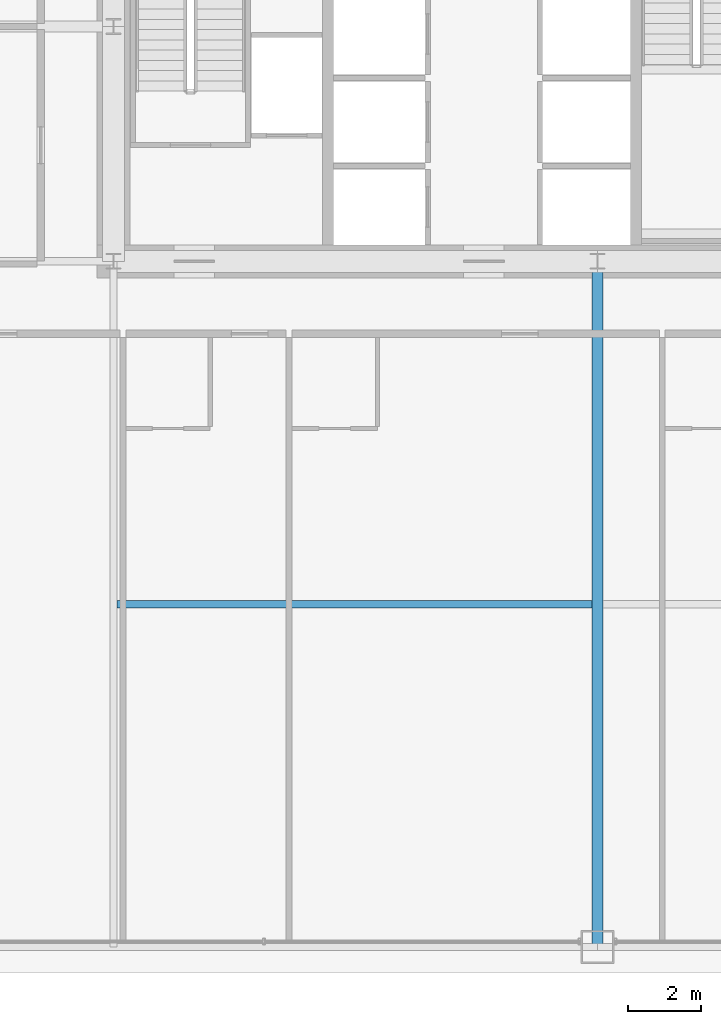
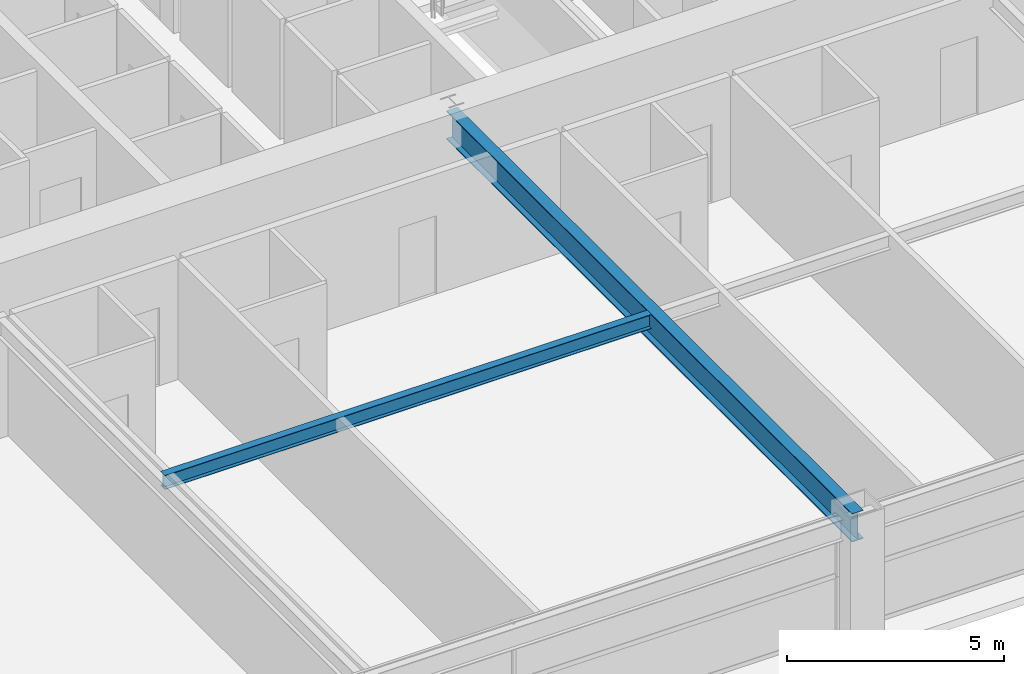
# One storey, part 8 of 43: 2 beams.
"""IFC4 building model written with IfcOpenShell, lengths in metres."""

import ifcopenshell
import ifcopenshell.guid

model = None  # the IFC model being written
_history = None  # IfcOwnerHistory: only IFC2X3 demands one
_inside = {}  # id of a spatial element -> (the spatial element, [elements in it])
_under = {}  # id of a project, library or spatial element -> (it, [spatial elements below it])
_declared = {}  # id of a project -> (the project, [libraries it declares])
_typed = {}  # id of a type object -> (the type object, [elements of that type])
_made_of = {}  # id of a material, layer set ... -> (it, [elements and type objects made of it])


def new_model(schema):
    """Start an empty IFC model of exactly this schema.

    Asked for "IFC4X3", IfcOpenShell would pick the latest addendum, in which some entities
    have other attributes; the version numbers below select the first issue.
    IFC2X3 requires an IfcOwnerHistory on every rooted entity: one is made here for all.
    """
    global model, _history
    if schema == "IFC4X3":
        model = ifcopenshell.file(schema_version=(4, 3, 0, 0))
    else:
        model = ifcopenshell.file(schema=schema)
    _inside.clear()
    _under.clear()
    _declared.clear()
    _typed.clear()
    _made_of.clear()
    _history = None
    if model.schema == "IFC2X3":
        org = make("IfcOrganization", Name="unknown")
        user = make(
            "IfcPersonAndOrganization",
            ThePerson=make("IfcPerson", FamilyName="unknown"),
            TheOrganization=org,
        )
        app = make(
            "IfcApplication",
            ApplicationDeveloper=org,
            Version="unknown",
            ApplicationFullName="unknown",
            ApplicationIdentifier="unknown",
        )
        _history = make(
            "IfcOwnerHistory",
            OwningUser=user,
            OwningApplication=app,
            ChangeAction="ADDED",
            CreationDate=0,
        )
    return model


def make(cls, **values):
    """One entity of the class cls with the attributes given. An attribute that is None is left unset."""
    return model.create_entity(
        cls, **{name: value for name, value in values.items() if value is not None}
    )


def rooted(cls, **values):
    """An entity with a GlobalId (a new one), such as an element, a storey or a relation."""
    return make(cls, GlobalId=ifcopenshell.guid.new(), OwnerHistory=_history, **values)


def si_unit(unit_type, name, prefix=None):
    """IfcSIUnit, for example si_unit("LENGTHUNIT", "METRE", prefix="MILLI")."""
    return make("IfcSIUnit", UnitType=unit_type, Prefix=prefix, Name=name)


def assignment(units):
    """IfcUnitAssignment: the units of a project."""
    return None if units is None else make("IfcUnitAssignment", Units=units)


def point(xyz):
    """IfcCartesianPoint."""
    return None if xyz is None else make("IfcCartesianPoint", Coordinates=xyz)


def direction(xyz):
    """IfcDirection."""
    return None if xyz is None else make("IfcDirection", DirectionRatios=xyz)


def frame(location, z_axis=None, x_axis=None):
    """IfcAxis2Placement3D, a coordinate frame: its origin and axes. An axis left out is left unset."""
    return make(
        "IfcAxis2Placement3D",
        Location=point(location),
        Axis=direction(z_axis),
        RefDirection=direction(x_axis),
    )


def frame_2d(location, x_axis=None):
    """IfcAxis2Placement2D, a coordinate frame in the plane: its origin and x axis."""
    return make(
        "IfcAxis2Placement2D", Location=point(location), RefDirection=direction(x_axis)
    )


def origin():
    """The frame at (0, 0, 0) with its axes left unset."""
    return frame((0.0, 0.0, 0.0))


def origin_2d():
    """The frame at (0, 0) in the plane with its x axis left unset."""
    return frame_2d((0.0, 0.0))


def place(relative_to, where):
    """IfcLocalPlacement: puts the frame where relative to a parent placement (None: the world)."""
    return make(
        "IfcLocalPlacement", PlacementRelTo=relative_to, RelativePlacement=where
    )


def context(
    kind, dimensions, precision=None, world=None, true_north=None, identifier=None
):
    """IfcGeometricRepresentationContext, for example the 3D "Model" context."""
    return make(
        "IfcGeometricRepresentationContext",
        ContextIdentifier=identifier,
        ContextType=kind,
        CoordinateSpaceDimension=dimensions,
        Precision=precision,
        WorldCoordinateSystem=world,
        TrueNorth=true_north,
    )


def subcontext(parent, identifier, kind, view, scale=None):
    """IfcGeometricRepresentationSubContext, for example "Body" below "Model"."""
    return make(
        "IfcGeometricRepresentationSubContext",
        ContextIdentifier=identifier,
        ContextType=kind,
        ParentContext=parent,
        TargetScale=scale,
        TargetView=view,
    )


def project(units=None, contexts=None):
    """IfcProject with its units and contexts."""
    return rooted(
        "IfcProject",
        Name="project",
        RepresentationContexts=contexts,
        UnitsInContext=assignment(units),
    )


def spatial(cls, under=None, at=None, **own):
    """A site, building, storey or space (cls), placed at a placement, below another one or the project."""
    s = rooted(cls, ObjectPlacement=at, **own)
    if under is not None:
        _under.setdefault(under.id(), (under, []))[1].append(s)
    return s


def profile(cls, at=None, kind="AREA", **sizes):
    """A parametric profile (cls). Its sizes go by their IFC names, for example OverallWidth=200.0."""
    return make(cls, ProfileType=kind, Position=at, **sizes)


def i_section(**sizes):
    """IfcIShapeProfileDef."""
    return profile("IfcIShapeProfileDef", **sizes)


def extrude(swept, where, along, depth):
    """IfcExtrudedAreaSolid: the profile swept, set in the frame where, extruded along a direction by depth."""
    return make(
        "IfcExtrudedAreaSolid",
        SweptArea=swept,
        Position=where,
        ExtrudedDirection=direction(along),
        Depth=depth,
    )


def shape(context_of_items, identifier, shape_type, items):
    """IfcShapeRepresentation: the items that make up one representation, for example the "Body"."""
    return make(
        "IfcShapeRepresentation",
        ContextOfItems=context_of_items,
        RepresentationIdentifier=identifier,
        RepresentationType=shape_type,
        Items=items,
    )


def source(mapping_origin, context_of_items, identifier, shape_type, items):
    """IfcRepresentationMap: a shape defined once, which mapped items show again and again."""
    return make(
        "IfcRepresentationMap",
        MappingOrigin=mapping_origin,
        MappedRepresentation=shape(context_of_items, identifier, shape_type, items),
    )


def transform(
    local_origin,
    x_axis=None,
    y_axis=None,
    z_axis=None,
    scale=None,
    scale2=None,
    scale3=None,
    uniform=True,
):
    """IfcCartesianTransformationOperator3D, or its non-uniform kind. x_axis, y_axis, z_axis: its Axis1, 2, 3."""
    if uniform:
        return make(
            "IfcCartesianTransformationOperator3D",
            Axis1=direction(x_axis),
            Axis2=direction(y_axis),
            LocalOrigin=point(local_origin),
            Scale=scale,
            Axis3=direction(z_axis),
        )
    return make(
        "IfcCartesianTransformationOperator3DnonUniform",
        Axis1=direction(x_axis),
        Axis2=direction(y_axis),
        LocalOrigin=point(local_origin),
        Scale=scale,
        Axis3=direction(z_axis),
        Scale2=scale2,
        Scale3=scale3,
    )


def mapped(mapping_source, mapping_target):
    """IfcMappedItem: shows the shape of a source again, moved by a transform."""
    return make(
        "IfcMappedItem", MappingSource=mapping_source, MappingTarget=mapping_target
    )


def material(Name=None, Category=None):
    """IfcMaterial."""
    return make("IfcMaterial", Name=Name, Category=Category)


def material_profile(
    of_material, cross_section, Name=None, Category=None, Priority=None
):
    """IfcMaterialProfile: a cross section and its material."""
    return make(
        "IfcMaterialProfile",
        Name=Name,
        Material=of_material,
        Profile=cross_section,
        Priority=Priority,
        Category=Category,
    )


def profile_set(profiles, Name=None, composite=None):
    """IfcMaterialProfileSet."""
    return make(
        "IfcMaterialProfileSet",
        Name=Name,
        MaterialProfiles=profiles,
        CompositeProfile=composite,
    )


def made_of(thing, what):
    """Note that an element or type object is made of a material, layer set ...; save() writes the relation."""
    if what is not None:
        _made_of.setdefault(what.id(), (what, []))[1].append(thing)
    return thing


def type_object(cls, material=None, **own):
    """A type object (cls), such as IfcWallType, which elements share."""
    return made_of(rooted(cls, **own), material)


def element(
    cls,
    number,
    at=None,
    inside=None,
    cuts=None,
    type_object=None,
    material=None,
    context=None,
    identifier="Body",
    shape_type=None,
    held_by="IfcProductDefinitionShape",
    body=None,
    shapes=None,
    **own,
):
    """One element of the class cls, such as IfcWall. Its Tag is "e" and its number.

    at: its placement. inside: the storey or other place that contains it. cuts: it is an
    opening in that element (IfcRelVoidsElement). A single representation is given by context,
    identifier, shape_type and body (its items); several are given by shapes. held_by: the class
    of the entity that holds the representations. save() writes the other relations.
    """
    e = rooted(cls, Tag="e%d" % number, ObjectPlacement=at, **own)
    if body is not None:
        shapes = [shape(context, identifier, shape_type, body)]
    if shapes is not None:
        e.Representation = make(held_by, Representations=shapes)
    if inside is not None:
        _inside.setdefault(inside.id(), (inside, []))[1].append(e)
    if cuts is not None:
        rooted(
            "IfcRelVoidsElement", RelatingBuildingElement=cuts, RelatedOpeningElement=e
        )
    if type_object is not None:
        _typed.setdefault(type_object.id(), (type_object, []))[1].append(e)
    return made_of(e, material)


def aggregate(whole, parts):
    """IfcRelAggregates: a whole, such as a stair, and the parts it consists of."""
    return rooted("IfcRelAggregates", RelatingObject=whole, RelatedObjects=parts)


def save(model, path):
    """Write the relations noted so far, then the file.

    IfcRelAggregates (storeys below a building ...), IfcRelContainedInSpatialStructure (elements
    in a storey), IfcRelDefinesByType, IfcRelAssociatesMaterial and IfcRelDeclares: one each for
    every whole, place, type object, material and project.
    """
    for whole, parts in _under.values():
        aggregate(whole, parts)
    for where, things in _inside.values():
        rooted(
            "IfcRelContainedInSpatialStructure",
            RelatedElements=things,
            RelatingStructure=where,
        )
    for kind, things in _typed.values():
        rooted("IfcRelDefinesByType", RelatedObjects=things, RelatingType=kind)
    for what, things in _made_of.values():
        rooted("IfcRelAssociatesMaterial", RelatedObjects=things, RelatingMaterial=what)
    for by, libraries in _declared.values():
        rooted("IfcRelDeclares", RelatingContext=by, RelatedDefinitions=libraries)
    model.write(path)


model = new_model("IFC4")

# Units and contexts
model_context = context("Model", 3, precision=1e-05, world=origin(), true_north=direction((0.0, 1.0)))
body_context = subcontext(model_context, "Body", "Model", "MODEL_VIEW")
ifc_project = project(units=[si_unit("LENGTHUNIT", "METRE"), si_unit("AREAUNIT", "SQUARE_METRE"), si_unit("VOLUMEUNIT", "CUBIC_METRE"), si_unit("PLANEANGLEUNIT", "RADIAN"), si_unit("MASSUNIT", "GRAM", prefix="KILO"), si_unit("THERMODYNAMICTEMPERATUREUNIT", "KELVIN"), si_unit("POWERUNIT", "WATT")], contexts=[model_context])

# Site, building, storey
site_placement = place(None, origin())
site = spatial("IfcSite", under=ifc_project, at=site_placement, CompositionType="ELEMENT")
building_placement = place(site_placement, origin())
building = spatial("IfcBuilding", under=site, at=building_placement, Name="Yuzanri Waterfront Tower", CompositionType="ELEMENT")
storey_placement = place(building_placement, frame((0.0, 0.0, 67.60009765625)))
storey = spatial("IfcBuildingStorey", under=building, at=storey_placement, Name="L17", CompositionType="ELEMENT", Elevation=67.60009765625)

# Beams
ifc_material_1 = material(Name="Steel Q355B", Category="steel")
ifc_material_profile_1 = material_profile(ifc_material_1, i_section(OverallWidth=0.300048828125, OverallDepth=0.800048828125, WebThickness=0.013916015625, FlangeThickness=0.02587890625, at=origin_2d()), Name="HN 800x300x14x26")
ifc_profile_set_1 = profile_set([ifc_material_profile_1], Name="Steel Q355B")
beam_type_1 = type_object("IfcBeamType", Name="Primary Floor Girder Q355B HN 800x300", PredefinedType="BEAM", material=ifc_profile_set_1)
shared_shape_1 = source(origin(), body_context, "Body", "SweptSolid", [
    extrude(i_section(OverallWidth=0.300048828125, OverallDepth=0.800048828125, WebThickness=0.013916015625, FlangeThickness=0.02587890625, at=origin_2d()), origin(), (0.0, 0.0, 1.0), 18.699951171875),
])
beam_1_placement = place(storey_placement, frame((37.0, 19.39990234375, 2.97998046875), z_axis=(0.0, -1.0, 0.0), x_axis=(1.0, 0.0, 0.0)))
element("IfcBeam", 1, at=beam_1_placement, inside=storey, type_object=beam_type_1, Name="L17 South Grid Girder", PredefinedType="BEAM", context=body_context, shape_type="MappedRepresentation", body=[
    mapped(shared_shape_1, transform((0.0, 0.0, 0.0), scale=1.0)),
])
ifc_material_2 = material(Name="Steel Q355B", Category="steel")
ifc_material_profile_2 = material_profile(ifc_material_2, i_section(OverallWidth=0.199951171875, OverallDepth=0.39990234375, WebThickness=0.008056640625, FlangeThickness=0.012939453125, at=origin_2d()), Name="HN 400x200x8x13")
ifc_profile_set_2 = profile_set([ifc_material_profile_2], Name="Steel Q355B")
beam_type_2 = type_object("IfcBeamType", Name="Floor Joist Q355B HN 400x200", PredefinedType="JOIST", material=ifc_profile_set_2)
shared_shape_2 = source(origin(), body_context, "Body", "SweptSolid", [
    extrude(i_section(OverallWidth=0.199951171875, OverallDepth=0.39990234375, WebThickness=0.008056640625, FlangeThickness=0.012939453125, at=origin_2d()), origin(), (0.0, 0.0, 1.0), 12.9501953125),
])
beam_2_placement = place(storey_placement, frame((23.89990234375, 10.050048828125, 3.179931640625), z_axis=(1.0, 0.0, 0.0), x_axis=(0.0, 1.0, 0.0)))
element("IfcBeam", 2, at=beam_2_placement, inside=storey, type_object=beam_type_2, Name="L17 South Bay Joist W", PredefinedType="JOIST", context=body_context, shape_type="MappedRepresentation", body=[
    mapped(shared_shape_2, transform((0.0, 0.0, 0.0), scale=1.0)),
])

save(model, "model.ifc")
